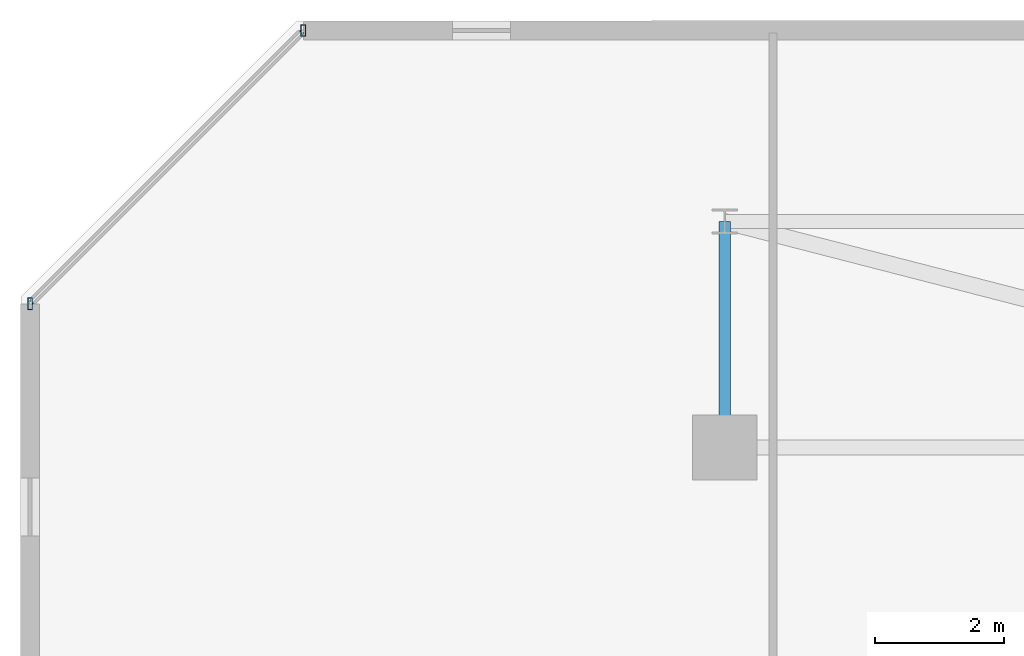
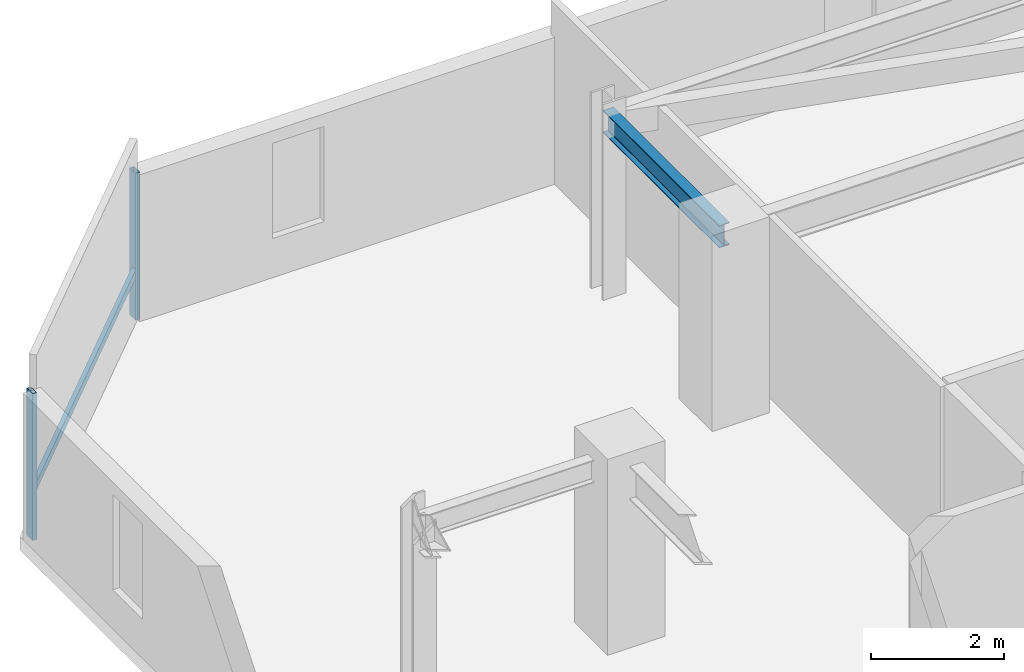
# One storey, part 8 of 32: 3 members, 1 beam, 1 element without a shape of its own.
"""IFC4 building model written with IfcOpenShell, lengths in metres."""

from ifc_helpers import new_model, si_unit, direction, frame, origin, origin_2d, place, context, subcontext, project, spatial, hollow_rectangle, i_section, extrude, material, material_profile, profile_set, type_object, element, aggregate, save


model = new_model("IFC4")

# Units and contexts
model_context = context("Model", 3, precision=1e-05, world=origin(), true_north=direction((0.0, 1.0)))
body_context = subcontext(model_context, "Body", "Model", "MODEL_VIEW")
ifc_project = project(units=[si_unit("LENGTHUNIT", "METRE"), si_unit("AREAUNIT", "SQUARE_METRE"), si_unit("VOLUMEUNIT", "CUBIC_METRE"), si_unit("PLANEANGLEUNIT", "RADIAN"), si_unit("MASSUNIT", "GRAM", prefix="KILO")], contexts=[model_context])

# Site, building, storey
site_placement = place(None, origin())
site = spatial("IfcSite", under=ifc_project, at=site_placement, CompositionType="ELEMENT")
building_placement = place(site_placement, origin())
building = spatial("IfcBuilding", under=site, at=building_placement, Name="Thornwick Lancets Civic Towers", CompositionType="ELEMENT")
storey_placement = place(building_placement, frame((0.0, 0.0, 200.10009765625)))
storey = spatial("IfcBuildingStorey", under=building, at=storey_placement, Name="L53", CompositionType="ELEMENT", Elevation=200.10009765625)

# Beam
ifc_material_1 = material(Name="Steel S355JR", Category="steel")
ifc_material_profile_1 = material_profile(ifc_material_1, i_section(OverallWidth=0.179443359375, OverallDepth=0.412841796875, WebThickness=0.009521484375, FlangeThickness=0.01611328125, FilletRadius=0.01025390625, at=origin_2d()), Name="UKB 406x178x74")
ifc_profile_set_1 = profile_set([ifc_material_profile_1], Name="Steel S355JR")
beam_type = type_object("IfcBeamType", Name="BM_JOIST_406_74", PredefinedType="JOIST", material=ifc_profile_set_1)
beam_placement = place(storey_placement, frame((12.5, 44.300048828125, 3.133544921875), z_axis=(0.0, 1.0, 0.0), x_axis=(-1.0, 0.0, 0.0)))
element("IfcBeam", 1, at=beam_placement, inside=storey, type_object=beam_type, Name="BM-RAD-L53-A07", PredefinedType="JOIST", context=body_context, shape_type="SweptSolid", body=[
    extrude(i_section(OverallWidth=0.179443359375, OverallDepth=0.412841796875, WebThickness=0.009521484375, FlangeThickness=0.01611328125, FilletRadius=0.01025390625, at=origin_2d()), origin(), (0.0, 0.0, 1.0), 3.5),
])

# Curtain wall, members
ifc_material_2 = material(Name="High-zone chamfered-corner unitised glass curtain wall", Category="glass")
curtain_wall_type = type_object("IfcCurtainWallType", Name="CW_SYS_05", PredefinedType="NOTDEFINED", material=ifc_material_2)
curtain_wall_placement = place(storey_placement, origin())
curtain_wall = element("IfcCurtainWall", 2, at=curtain_wall_placement, inside=storey, type_object=curtain_wall_type, Name="L53 Curtain Wall CW-L53-A-E5", PredefinedType="NOTDEFINED")
ifc_material_3 = material(Name="Thermally broken bronze aluminium S355", Category="steel")
ifc_material_profile_2 = material_profile(ifc_material_3, hollow_rectangle(XDim=0.074951171875, YDim=0.179931640625, WallThickness=0.006103515625, at=origin_2d()), Name="RHS 180x75x6")
ifc_profile_set_2 = profile_set([ifc_material_profile_2], Name="Thermally broken bronze aluminium S355")
member_type_1 = type_object("IfcMemberType", Name="CW_MUL_180", PredefinedType="MULLION", material=ifc_profile_set_2)
member_1_placement = place(storey_placement, frame((5.97412109375, 50.75927734375, 0.0), z_axis=(0.0, 0.0, 1.0), x_axis=(1.0, 0.0, 0.0)))
member_1 = element("IfcMember", 3, at=member_1_placement, type_object=member_type_1, Name="CW-L53-A-E5 Mullion 0", PredefinedType="MULLION", context=body_context, shape_type="SweptSolid", body=[
    extrude(hollow_rectangle(XDim=0.074951171875, YDim=0.179931640625, WallThickness=0.006103515625, at=origin_2d()), origin(), (0.0, 0.0, 1.0), 2.699951171875),
])
member_2_placement = place(storey_placement, frame((1.74072265625, 46.52587890625, 0.0), z_axis=(0.0, 0.0, 1.0), x_axis=(1.0, 0.0, 0.0)))
member_2 = element("IfcMember", 4, at=member_2_placement, type_object=member_type_1, Name="CW-L53-A-E5 Mullion 1", PredefinedType="MULLION", context=body_context, shape_type="SweptSolid", body=[
    extrude(hollow_rectangle(XDim=0.074951171875, YDim=0.179931640625, WallThickness=0.006103515625, at=origin_2d()), origin(), (0.0, 0.0, 1.0), 2.699951171875),
])
ifc_material_profile_3 = material_profile(ifc_material_3, hollow_rectangle(XDim=0.074951171875, YDim=0.14990234375, WallThickness=0.0048828125, at=origin_2d()), Name="RHS 150x75x5")
ifc_profile_set_3 = profile_set([ifc_material_profile_3], Name="Thermally broken bronze aluminium S355")
member_type_2 = type_object("IfcMemberType", Name="CW_TRN_150", PredefinedType="USERDEFINED", material=ifc_profile_set_3)
member_3_placement = place(storey_placement, frame((5.9599609375, 50.7451171875, 0.849853515625), z_axis=(-0.707106781187, -0.707106781187, 0.0), x_axis=(0.707106781187, -0.707106781187, 0.0)))
member_3 = element("IfcMember", 5, at=member_3_placement, type_object=member_type_2, Name="CW-L53-A-E5 Transom 0", ObjectType="TRANSOM", PredefinedType="USERDEFINED", context=body_context, shape_type="SweptSolid", body=[
    extrude(hollow_rectangle(XDim=0.074951171875, YDim=0.14990234375, WallThickness=0.0048828125, at=origin_2d()), origin(), (0.0, 0.0, 1.0), 5.94677734375),
])
aggregate(curtain_wall, [member_1, member_2, member_3])

save(model, "model.ifc")
